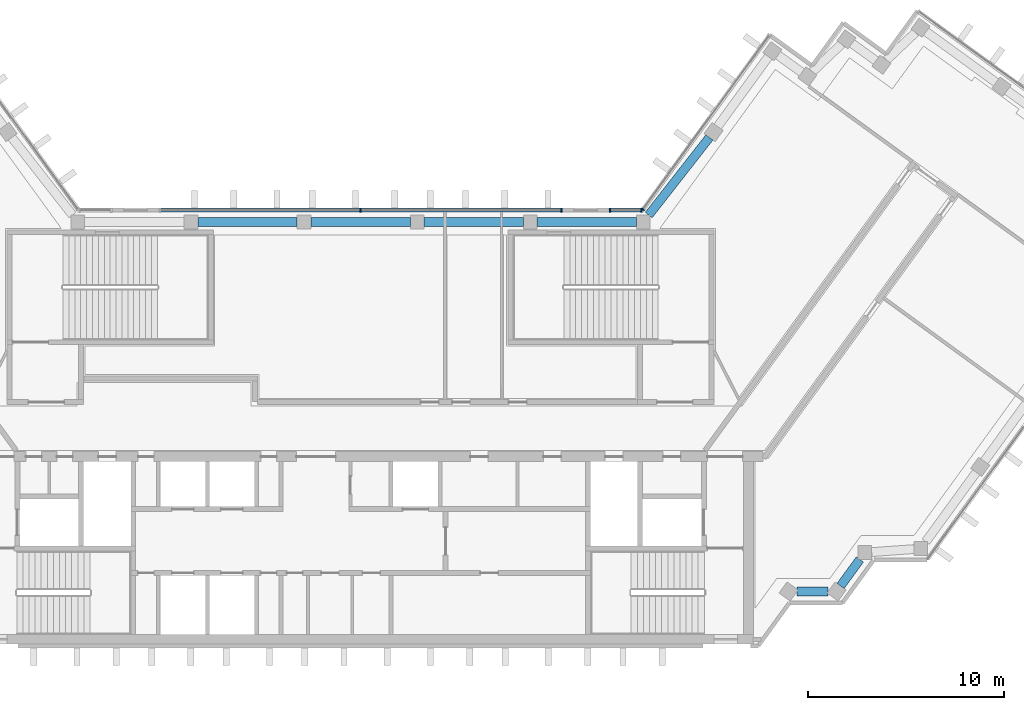
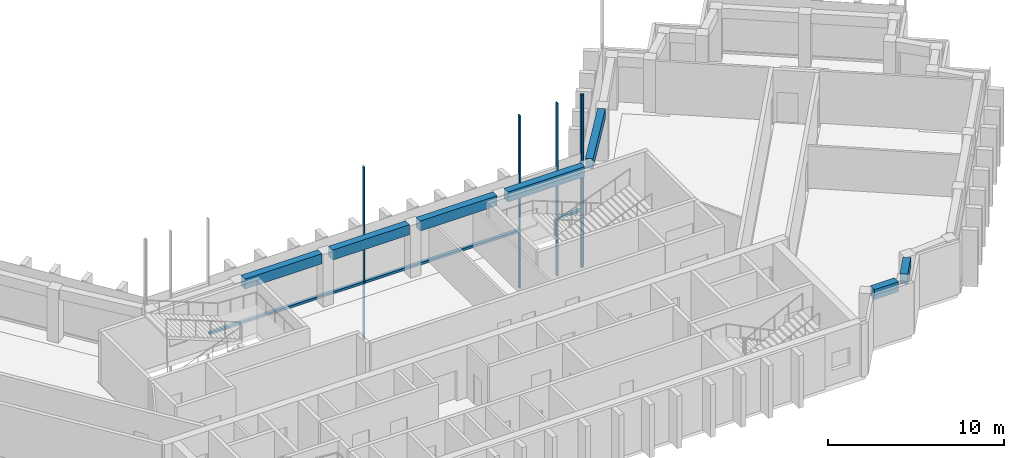
# One storey, part 3 of 13: 8 members, 7 beams, 3 elements without a shape of their own.
"""IFC4 building model written with IfcOpenShell, lengths in metres."""

from ifc_helpers import new_model, si_unit, direction, frame, origin, origin_2d, place, context, subcontext, project, spatial, rectangle, extrude, material, material_profile, profile_set, type_object, element, aggregate, save


model = new_model("IFC4")

# Units and contexts
model_context = context("Model", 3, precision=1e-05, world=origin(), true_north=direction((0.0, 1.0)))
body_context = subcontext(model_context, "Body", "Model", "MODEL_VIEW")
ifc_project = project(units=[si_unit("LENGTHUNIT", "METRE"), si_unit("AREAUNIT", "SQUARE_METRE"), si_unit("VOLUMEUNIT", "CUBIC_METRE"), si_unit("PLANEANGLEUNIT", "RADIAN"), si_unit("MASSUNIT", "GRAM", prefix="KILO")], contexts=[model_context])

# Site, building, storey
site_placement = place(None, origin())
site = spatial("IfcSite", under=ifc_project, at=site_placement, CompositionType="ELEMENT")
building_placement = place(site_placement, origin())
building = spatial("IfcBuilding", under=site, at=building_placement, Name="Quipu Civic Tower", CompositionType="ELEMENT")
storey_placement = place(building_placement, frame((0.0, 0.0, 347.0)))
storey = spatial("IfcBuildingStorey", under=building, at=storey_placement, Name="L81", CompositionType="ELEMENT", Elevation=347.0)

# Curtain wall, member
ifc_material_1 = material(Name="Insulated glass unit", Category="glass")
curtain_wall_type = type_object("IfcCurtainWallType", Name="Office curtain wall CW1", PredefinedType="NOTDEFINED", material=ifc_material_1)
curtain_wall_1_placement = place(storey_placement, origin())
curtain_wall_1 = element("IfcCurtainWall", 1, at=curtain_wall_1_placement, inside=storey, type_object=curtain_wall_type, Name="Office curtain wall CW1 L80 run 26", PredefinedType="NOTDEFINED")
ifc_material_2 = material(Name="Anodised aluminium", Category="aluminium")
ifc_material_profile_1 = material_profile(ifc_material_2, rectangle(XDim=0.199951171875, YDim=0.080078125, at=origin_2d()), Name="RECT 200x80")
ifc_profile_set_1 = profile_set([ifc_material_profile_1], Name="Anodised aluminium")
member_type_1 = type_object("IfcMemberType", Name="Mullion CW1", PredefinedType="MULLION", material=ifc_profile_set_1)
member_1_placement = place(storey_placement, frame((14.36767578125, 11.13232421875, -3.919921875), z_axis=(0.0, 0.0, 1.0), x_axis=(0.809015163947, -0.587787771652, 0.0)))
member_1 = element("IfcMember", 2, at=member_1_placement, type_object=member_type_1, Name="CW1 mullion 2", PredefinedType="MULLION", context=body_context, shape_type="SweptSolid", body=[
    extrude(rectangle(XDim=0.199951171875, YDim=0.080078125, at=origin_2d()), origin(), (0.0, 0.0, 1.0), 12.0),
])
aggregate(curtain_wall_1, [member_1])

# Curtain wall, members
curtain_wall_2_placement = place(storey_placement, origin())
curtain_wall_2 = element("IfcCurtainWall", 3, at=curtain_wall_2_placement, inside=storey, type_object=curtain_wall_type, Name="Office curtain wall CW1 L80 run 27", PredefinedType="NOTDEFINED")
member_2_placement = place(storey_placement, frame((14.30419921875, 11.10009765625, -3.919921875), z_axis=(0.0, 0.0, 1.0), x_axis=(0.0, -1.0, 0.0)))
member_2 = element("IfcMember", 4, at=member_2_placement, type_object=member_type_1, Name="CW1 mullion 1", PredefinedType="MULLION", context=body_context, shape_type="SweptSolid", body=[
    extrude(rectangle(XDim=0.199951171875, YDim=0.080078125, at=origin_2d()), origin(), (0.0, 0.0, 1.0), 12.0),
])
member_3_placement = place(storey_placement, frame((12.695068359375, 11.10009765625, -3.919921875), z_axis=(0.0, 0.0, 1.0), x_axis=(0.0, -1.0, 0.0)))
member_3 = element("IfcMember", 5, at=member_3_placement, type_object=member_type_1, Name="CW1 mullion 2", PredefinedType="MULLION", context=body_context, shape_type="SweptSolid", body=[
    extrude(rectangle(XDim=0.199951171875, YDim=0.080078125, at=origin_2d()), origin(), (0.0, 0.0, 1.0), 12.0),
])

curtain_wall_3_placement = place(storey_placement, origin())
curtain_wall_3 = element("IfcCurtainWall", 6, at=curtain_wall_3_placement, inside=storey, type_object=curtain_wall_type, Name="Office curtain wall CW1 L80 run 29", PredefinedType="NOTDEFINED")
member_4_placement = place(storey_placement, frame((10.223388671875, 11.10009765625, -3.919921875), z_axis=(0.0, 0.0, 1.0), x_axis=(0.0, -1.0, 0.0)))
member_4 = element("IfcMember", 7, at=member_4_placement, type_object=member_type_1, Name="CW1 mullion 1", PredefinedType="MULLION", context=body_context, shape_type="SweptSolid", body=[
    extrude(rectangle(XDim=0.199951171875, YDim=0.080078125, at=origin_2d()), origin(), (0.0, 0.0, 1.0), 12.0),
])
member_5_placement = place(storey_placement, frame((0.0, 11.10009765625, -3.919921875), z_axis=(0.0, 0.0, 1.0), x_axis=(0.0, -1.0, 0.0)))
member_5 = element("IfcMember", 8, at=member_5_placement, type_object=member_type_1, Name="CW1 mullion 2", PredefinedType="MULLION", context=body_context, shape_type="SweptSolid", body=[
    extrude(rectangle(XDim=0.199951171875, YDim=0.080078125, at=origin_2d()), origin(), (0.0, 0.0, 1.0), 12.0),
])

# Beams
ifc_material_3 = material(Name="Concrete C50/60", Category="concrete")
ifc_material_profile_2 = material_profile(ifc_material_3, rectangle(XDim=0.449951171875, YDim=0.699951171875, at=origin_2d()), Name="RC450x700")
ifc_profile_set_2 = profile_set([ifc_material_profile_2], Name="Concrete C50/60")
beam_type = type_object("IfcBeamType", Name="Spandrel beam RC 450x700 C50/60", PredefinedType="SPANDREL", material=ifc_profile_set_2)
beam_1_placement = place(storey_placement, frame((22.224365234375, -8.31494140625, 3.300048828125), z_axis=(1.0, 0.0, 0.0), x_axis=(0.0, 1.0, 0.0)))
element("IfcBeam", 9, at=beam_1_placement, inside=storey, type_object=beam_type, Name="Spandrel beam L81 J-Eo.1 to J-Eo.2", PredefinedType="SPANDREL", context=body_context, shape_type="SweptSolid", body=[
    extrude(rectangle(XDim=0.449951171875, YDim=0.699951171875, at=origin_2d()), origin(), (0.0, 0.0, 1.0), 1.578125),
])
beam_2_placement = place(storey_placement, frame((24.44091796875, -8.031982421875, 3.300048828125), z_axis=(0.588407300614, 0.80856468423, 0.0), x_axis=(-0.80856468423, 0.588407300614, 0.0)))
element("IfcBeam", 10, at=beam_2_placement, inside=storey, type_object=beam_type, Name="Spandrel beam L81 J-Eo.2 to J-Eo.3", PredefinedType="SPANDREL", context=body_context, shape_type="SweptSolid", body=[
    extrude(rectangle(XDim=0.449951171875, YDim=0.699951171875, at=origin_2d()), origin(), (0.0, 0.0, 1.0), 1.663330078125),
])
beam_3_placement = place(storey_placement, frame((17.7578125, 14.799072265625, 3.300048828125), z_axis=(-0.616106034519, -0.787663223865, 0.0), x_axis=(0.787663223865, -0.616106034519, 0.0)))
element("IfcBeam", 11, at=beam_3_placement, inside=storey, type_object=beam_type, Name="Spandrel beam L81 E-IN-01 to J-Ei.0", PredefinedType="SPANDREL", context=body_context, shape_type="SweptSolid", body=[
    extrude(rectangle(XDim=0.449951171875, YDim=0.699951171875, at=origin_2d()), origin(), (0.0, 0.0, 1.0), 5.013427734375),
])
for number, where, z_axis, x_axis, name in (
    (12, (14.045166015625, 10.5, 3.300048828125), (-1.0, 0.0, 0.0), (0.0, -1.0, 0.0), "Spandrel beam L81 J-Ei.0 to FRONT-01"),
    (13, (8.287109375, 10.5, 3.300048828125), (-1.0, 0.0, 0.0), (0.0, -1.0, 0.0), "Spandrel beam L81 FRONT-01 to FRONT-02"),
    (14, (2.529052734375, 10.5, 3.300048828125), (-1.0, 0.0, 0.0), (0.0, -1.0, 0.0), "Spandrel beam L81 FRONT-02 to FRONT-03"),
    (15, (-3.22900390625, 10.5, 3.300048828125), (-1.0, 0.0, 0.0), (0.0, -1.0, 0.0), "Spandrel beam L81 FRONT-03 to FRONT-04"),
):
    element("IfcBeam", number, at=place(storey_placement, frame(where, z_axis=z_axis, x_axis=x_axis)), inside=storey, type_object=beam_type, Name=name, PredefinedType="SPANDREL", context=body_context, shape_type="SweptSolid", body=[
        extrude(rectangle(XDim=0.449951171875, YDim=0.699951171875, at=origin_2d()), origin(), (0.0, 0.0, 1.0), 5.05810546875),
    ])

# Member
ifc_material_4 = material(Name="Anodised aluminium", Category="aluminium")
ifc_material_profile_3 = material_profile(ifc_material_4, rectangle(XDim=0.199951171875, YDim=0.159912109375, at=origin_2d()), Name="RECT 200x160")
ifc_profile_set_3 = profile_set([ifc_material_profile_3], Name="Anodised aluminium")
member_type_2 = type_object("IfcMemberType", Name="Transom CW1", PredefinedType="USERDEFINED", material=ifc_profile_set_3)
member_6_placement = place(storey_placement, frame((14.26416015625, 11.10009765625, 0.080078125), z_axis=(-1.0, 0.0, 0.0), x_axis=(0.0, -1.0, 0.0)))
member_6 = element("IfcMember", 16, at=member_6_placement, type_object=member_type_2, Name="CW1 transom 1.2", ObjectType="TRANSOM", PredefinedType="USERDEFINED", context=body_context, shape_type="SweptSolid", body=[
    extrude(rectangle(XDim=0.199951171875, YDim=0.159912109375, at=origin_2d()), origin(), (0.0, 0.0, 1.0), 1.529052734375),
])

aggregate(curtain_wall_2, [member_2, member_3, member_6])

member_7_placement = place(storey_placement, frame((10.18359375, 11.10009765625, 0.080078125), z_axis=(-1.0, 0.0, 0.0), x_axis=(0.0, -1.0, 0.0)))
member_7 = element("IfcMember", 17, at=member_7_placement, type_object=member_type_2, Name="CW1 transom 1.2", ObjectType="TRANSOM", PredefinedType="USERDEFINED", context=body_context, shape_type="SweptSolid", body=[
    extrude(rectangle(XDim=0.199951171875, YDim=0.159912109375, at=origin_2d()), origin(), (0.0, 0.0, 1.0), 10.1435546875),
])

member_8_placement = place(storey_placement, frame((-0.0400390625, 11.10009765625, 0.080078125), z_axis=(-1.0, 0.0, 0.0), x_axis=(0.0, -1.0, 0.0)))
member_8 = element("IfcMember", 18, at=member_8_placement, type_object=member_type_2, Name="CW1 transom 2.2", ObjectType="TRANSOM", PredefinedType="USERDEFINED", context=body_context, shape_type="SweptSolid", body=[
    extrude(rectangle(XDim=0.199951171875, YDim=0.159912109375, at=origin_2d()), origin(), (0.0, 0.0, 1.0), 10.1435546875),
])

aggregate(curtain_wall_3, [member_4, member_5, member_7, member_8])

save(model, "model.ifc")
